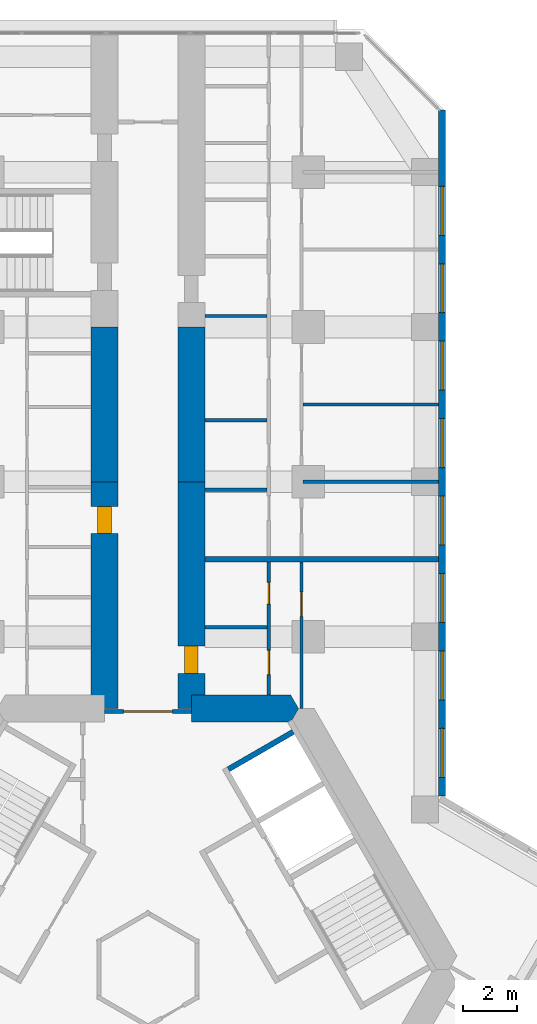
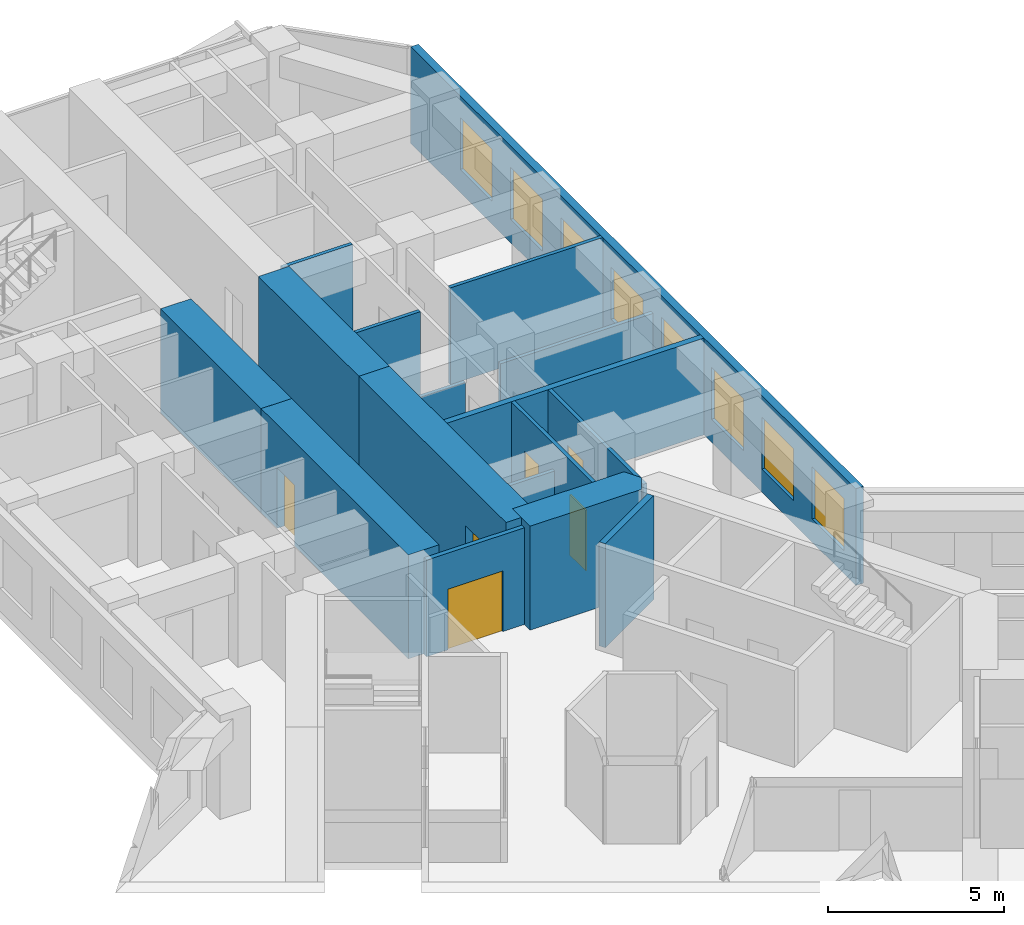
# One storey, part 18 of 21: 17 walls, 8 windows, 6 doors, 14 openings.
"""IFC4 building model written with IfcOpenShell, lengths in metres."""

from ifc_helpers import new_model, si_unit, direction, frame, frame_2d, origin, place, context, subcontext, project, spatial, polyline, rectangle, outline, extrude, material, layer, layer_set, type_object, element, fill, save


model = new_model("IFC4")

# Units and contexts
model_context = context("Model", 3, precision=1e-05, world=origin(), true_north=direction((0.0, 1.0)))
body_context = subcontext(model_context, "Body", "Model", "MODEL_VIEW")
ifc_project = project(units=[si_unit("LENGTHUNIT", "METRE"), si_unit("AREAUNIT", "SQUARE_METRE"), si_unit("VOLUMEUNIT", "CUBIC_METRE"), si_unit("PLANEANGLEUNIT", "RADIAN"), si_unit("MASSUNIT", "GRAM", prefix="KILO")], contexts=[model_context])

# Site, building, storey
site_placement = place(None, origin())
site = spatial("IfcSite", under=ifc_project, at=site_placement, CompositionType="ELEMENT")
building_placement = place(site_placement, origin())
building = spatial("IfcBuilding", under=site, at=building_placement, Name="Kosmar Iwan School Tower", CompositionType="ELEMENT")
storey_placement = place(building_placement, frame((0.0, 0.0, 64.60009765625)))
storey = spatial("IfcBuildingStorey", under=building, at=storey_placement, Name="L15", CompositionType="ELEMENT", Elevation=64.60009765625)

# Wall
ifc_material_1 = material(Name="Concrete C50/60", Category="concrete")
ifc_layer_1 = layer(ifc_material_1, 1.0)
ifc_layer_set_1 = layer_set([ifc_layer_1], Name="Core wall 1000")
wall_type_1 = type_object("IfcWallType", Name="Core wall 1000", PredefinedType="SHEAR", material=ifc_layer_set_1)
wall_1_placement = place(storey_placement, origin())
element("IfcWall", 1, at=wall_1_placement, inside=storey, type_object=wall_type_1, Name="Core wall F090a", PredefinedType="SHEAR", context=body_context, shape_type="SweptSolid", body=[
    extrude(outline(polyline([(1.60009765625, 9.10009765625), (5.25390625, 9.10009765625), (5.54248046875, 9.60009765625), (5.25390625, 10.10009765625), (1.60009765625, 10.10009765625), (1.60009765625, 9.10009765625)])), origin(), (0.0, 0.0, 1.0), 3.599853515625),
])

# Wall, opening, door
ifc_material_2 = material(Name="Concrete C50/60", Category="concrete")
ifc_layer_2 = layer(ifc_material_2, 1.0)
ifc_layer_set_2 = layer_set([ifc_layer_2], Name="Corridor buttress wall 1000")
wall_type_2 = type_object("IfcWallType", Name="Corridor buttress wall 1000", PredefinedType="SHEAR", material=ifc_layer_set_2)
wall_2_placement = place(storey_placement, frame((-1.60009765625, 9.60009765625, 0.0), z_axis=(0.0, 0.0, 1.0), x_axis=(0.0, 1.0, 0.0)))
wall_2 = element("IfcWall", 2, at=wall_2_placement, inside=storey, type_object=wall_type_2, Name="Corridor wall AL", PredefinedType="SHEAR", context=body_context, shape_type="SweptSolid", body=[
    extrude(rectangle(XDim=8.349853515625, YDim=1.0, at=frame_2d((4.1748046875, 0.0))), origin(), (0.0, 0.0, 1.0), 3.599853515625),
])
opening_1_placement = place(wall_2_placement, frame((6.449951171875, 0.0, 0.0)))
opening_1 = element("IfcOpeningElement", 3, at=opening_1_placement, cuts=wall_2, Name="Opening D1", PredefinedType="OPENING", context=body_context, shape_type="SweptSolid", body=[
    extrude(rectangle(XDim=1.0, YDim=2.10009765625, at=frame_2d((0.5, 1.050048828125))), frame((0.0, 0.511962890625, 0.0), z_axis=(0.0, -1.0, 0.0), x_axis=(1.0, 0.0, 0.0)), (0.0, 0.0, 1.0), 1.02392578125),
])
ifc_material_3 = material(Name="Timber fire door in steel frame", Category="steel")
door_type_1 = type_object("IfcDoorType", Name="Flat entrance door 1000x2100", OperationType="SINGLE_SWING_LEFT", PredefinedType="DOOR", material=ifc_material_3)
door_1_placement = place(opening_1_placement, origin())
door_1 = element("IfcDoor", 4, at=door_1_placement, inside=storey, type_object=door_type_1, Name="Flat L15-AL1 entrance door", OperationType="SINGLE_SWING_LEFT", OverallHeight=2.10009765625, OverallWidth=1.0, PredefinedType="DOOR", context=body_context, shape_type="SweptSolid", body=[
    extrude(rectangle(XDim=1.0, YDim=2.10009765625, at=frame_2d((0.5, 1.050048828125))), frame((0.0, 0.25, 0.0), z_axis=(0.0, -1.0, 0.0), x_axis=(1.0, 0.0, 0.0)), (0.0, 0.0, 1.0), 0.5),
])
fill(opening_1, door_1)

# Wall
wall_3_placement = place(storey_placement, frame((-1.60009765625, 17.949951171875, 0.0), z_axis=(0.0, 0.0, 1.0), x_axis=(0.0, 1.0, 0.0)))
element("IfcWall", 5, at=wall_3_placement, inside=storey, type_object=wall_type_2, Name="Corridor wall AL bay 2", PredefinedType="SHEAR", context=body_context, shape_type="SweptSolid", body=[
    extrude(rectangle(XDim=5.699951171875, YDim=1.0, at=frame_2d((2.85009765625, 0.0))), origin(), (0.0, 0.0, 1.0), 3.599853515625),
])

# Wall, opening, door
wall_4_placement = place(storey_placement, frame((1.60009765625, 9.60009765625, 0.0), z_axis=(0.0, 0.0, 1.0), x_axis=(0.0, 1.0, 0.0)))
wall_4 = element("IfcWall", 6, at=wall_4_placement, inside=storey, type_object=wall_type_2, Name="Corridor wall AR", PredefinedType="SHEAR", context=body_context, shape_type="SweptSolid", body=[
    extrude(rectangle(XDim=8.349853515625, YDim=1.0, at=frame_2d((4.1748046875, 0.0))), origin(), (0.0, 0.0, 1.0), 3.599853515625),
])
opening_2_placement = place(wall_4_placement, frame((1.300048828125, 0.0, 0.0)))
opening_2 = element("IfcOpeningElement", 7, at=opening_2_placement, cuts=wall_4, Name="Opening D1", PredefinedType="OPENING", context=body_context, shape_type="SweptSolid", body=[
    extrude(rectangle(XDim=1.0, YDim=2.10009765625, at=frame_2d((0.5, 1.050048828125))), frame((0.0, 0.511962890625, 0.0), z_axis=(0.0, -1.0, 0.0), x_axis=(1.0, 0.0, 0.0)), (0.0, 0.0, 1.0), 1.02392578125),
])
door_2_placement = place(opening_2_placement, origin())
door_2 = element("IfcDoor", 8, at=door_2_placement, inside=storey, type_object=door_type_1, Name="Flat L15-AR1 entrance door", OperationType="SINGLE_SWING_LEFT", OverallHeight=2.10009765625, OverallWidth=1.0, PredefinedType="DOOR", context=body_context, shape_type="SweptSolid", body=[
    extrude(rectangle(XDim=1.0, YDim=2.10009765625, at=frame_2d((0.5, 1.050048828125))), frame((0.0, 0.25, 0.0), z_axis=(0.0, -1.0, 0.0), x_axis=(1.0, 0.0, 0.0)), (0.0, 0.0, 1.0), 0.5),
])
fill(opening_2, door_2)

# Wall
wall_5_placement = place(storey_placement, frame((1.60009765625, 17.949951171875, 0.0), z_axis=(0.0, 0.0, 1.0), x_axis=(0.0, 1.0, 0.0)))
element("IfcWall", 9, at=wall_5_placement, inside=storey, type_object=wall_type_2, Name="Corridor wall AR bay 2", PredefinedType="SHEAR", context=body_context, shape_type="SweptSolid", body=[
    extrude(rectangle(XDim=5.699951171875, YDim=1.0, at=frame_2d((2.85009765625, 0.0))), origin(), (0.0, 0.0, 1.0), 3.599853515625),
])

# Wall, opening, door
ifc_material_4 = material(Name="Steel framed glazed screen", Category="steel")
ifc_layer_3 = layer(ifc_material_4, 0.14990234375)
ifc_layer_set_3 = layer_set([ifc_layer_3], Name="Corridor screen wall 150")
wall_type_3 = type_object("IfcWallType", Name="Corridor screen wall 150", PredefinedType="PARTITIONING", material=ifc_layer_set_3)
wall_6_placement = place(storey_placement, frame((1.60009765625, 9.5, 0.0), z_axis=(0.0, 0.0, 1.0), x_axis=(-1.0, 0.0, 0.0)))
wall_6 = element("IfcWall", 10, at=wall_6_placement, inside=storey, type_object=wall_type_3, Name="Corridor screen A L15", PredefinedType="PARTITIONING", context=body_context, shape_type="SweptSolid", body=[
    extrude(rectangle(XDim=3.2001953125, YDim=0.14990234375, at=frame_2d((1.60009765625, 0.0))), origin(), (0.0, 0.0, 1.0), 3.349853515625),
])
opening_3_placement = place(wall_6_placement, frame((0.699951171875, 0.0, 0.0)))
opening_3 = element("IfcOpeningElement", 11, at=opening_3_placement, cuts=wall_6, Name="Opening D9", PredefinedType="OPENING", context=body_context, shape_type="SweptSolid", body=[
    extrude(rectangle(XDim=1.800048828125, YDim=2.10009765625, at=frame_2d((0.89990234375, 1.050048828125))), frame((0.0, 0.0869140625, 0.0), z_axis=(0.0, -1.0, 0.0), x_axis=(1.0, 0.0, 0.0)), (0.0, 0.0, 1.0), 0.173828125),
])
ifc_material_5 = material(Name="Steel framed glazed smoke door", Category="steel")
door_type_2 = type_object("IfcDoorType", Name="Corridor smoke door pair 1800x2100", OperationType="DOUBLE_DOOR_DOUBLE_SWING", PredefinedType="DOOR", material=ifc_material_5)
door_3_placement = place(opening_3_placement, origin())
door_3 = element("IfcDoor", 12, at=door_3_placement, inside=storey, type_object=door_type_2, Name="Corridor doors A L15", OperationType="DOUBLE_DOOR_DOUBLE_SWING", OverallHeight=2.10009765625, OverallWidth=1.800048828125, PredefinedType="DOOR", context=body_context, shape_type="SweptSolid", body=[
    extrude(rectangle(XDim=1.800048828125, YDim=2.10009765625, at=frame_2d((0.89990234375, 1.050048828125))), frame((0.0, 0.02490234375, 0.0), z_axis=(0.0, -1.0, 0.0), x_axis=(1.0, 0.0, 0.0)), (0.0, 0.0, 1.0), 0.050048828125),
])
fill(opening_3, door_3)

# Wall, openings, doors
ifc_material_6 = material(Name="Gypsum board on steel studs", Category="steel")
ifc_layer_4 = layer(ifc_material_6, 0.1201171875)
ifc_layer_set_4 = layer_set([ifc_layer_4], Name="Dwelling partition 120")
wall_type_4 = type_object("IfcWallType", Name="Dwelling partition 120", PredefinedType="PARTITIONING", material=ifc_layer_set_4)
wall_7_placement = place(storey_placement, frame((4.449951171875, 10.10009765625, 0.0), z_axis=(0.0, 0.0, 1.0), x_axis=(0.0, 1.0, 0.0)))
wall_7 = element("IfcWall", 13, at=wall_7_placement, inside=storey, type_object=wall_type_4, Name="Partition L15-AR1-W1", PredefinedType="PARTITIONING", context=body_context, shape_type="SweptSolid", body=[
    extrude(rectangle(XDim=4.89990234375, YDim=0.1201171875, at=frame_2d((2.449951171875, 0.0))), origin(), (0.0, 0.0, 1.0), 3.349853515625),
])
opening_4_placement = place(wall_7_placement, frame((0.75, 0.0, 0.0)))
opening_4 = element("IfcOpeningElement", 14, at=opening_4_placement, cuts=wall_7, Name="Opening D2", PredefinedType="OPENING", context=body_context, shape_type="SweptSolid", body=[
    extrude(rectangle(XDim=0.89990234375, YDim=2.10009765625, at=frame_2d((0.449951171875, 1.050048828125))), frame((0.0, 0.072021484375, 0.0), z_axis=(0.0, -1.0, 0.0), x_axis=(1.0, 0.0, 0.0)), (0.0, 0.0, 1.0), 0.14404296875),
])
opening_5_placement = place(wall_7_placement, frame((3.35009765625, 0.0, 0.0)))
opening_5 = element("IfcOpeningElement", 15, at=opening_5_placement, cuts=wall_7, Name="Opening D3", PredefinedType="OPENING", context=body_context, shape_type="SweptSolid", body=[
    extrude(rectangle(XDim=0.800048828125, YDim=2.10009765625, at=frame_2d((0.39990234375, 1.050048828125))), frame((0.0, 0.072021484375, 0.0), z_axis=(0.0, -1.0, 0.0), x_axis=(1.0, 0.0, 0.0)), (0.0, 0.0, 1.0), 0.14404296875),
])
ifc_material_7 = material(Name="Timber door in timber frame", Category="wood")
door_type_3 = type_object("IfcDoorType", Name="Internal door 900x2100", OperationType="SINGLE_SWING_LEFT", PredefinedType="DOOR", material=ifc_material_7)
door_4_placement = place(opening_4_placement, origin())
door_4 = element("IfcDoor", 16, at=door_4_placement, inside=storey, type_object=door_type_3, Name="Entrance hall door L15-AR1-S1", OperationType="SINGLE_SWING_LEFT", OverallHeight=2.10009765625, OverallWidth=0.89990234375, PredefinedType="DOOR", context=body_context, shape_type="SweptSolid", body=[
    extrude(rectangle(XDim=0.89990234375, YDim=2.10009765625, at=frame_2d((0.449951171875, 1.050048828125))), frame((0.0, 0.02490234375, 0.0), z_axis=(0.0, -1.0, 0.0), x_axis=(1.0, 0.0, 0.0)), (0.0, 0.0, 1.0), 0.050048828125),
])
fill(opening_4, door_4)
ifc_material_8 = material(Name="Timber door in timber frame", Category="wood")
door_type_4 = type_object("IfcDoorType", Name="Sanitary room door 800x2100", OperationType="SINGLE_SWING_LEFT", PredefinedType="DOOR", material=ifc_material_8)
door_5_placement = place(opening_5_placement, origin())
door_5 = element("IfcDoor", 17, at=door_5_placement, inside=storey, type_object=door_type_4, Name="Bathroom door L15-AR1-S2", OperationType="SINGLE_SWING_RIGHT", OverallHeight=2.10009765625, OverallWidth=0.800048828125, PredefinedType="DOOR", context=body_context, shape_type="SweptSolid", body=[
    extrude(rectangle(XDim=0.800048828125, YDim=2.10009765625, at=frame_2d((0.39990234375, 1.050048828125))), frame((0.0, 0.02490234375, 0.0), z_axis=(0.0, -1.0, 0.0), x_axis=(1.0, 0.0, 0.0)), (0.0, 0.0, 1.0), 0.050048828125),
])
fill(opening_5, door_5)

# Wall, opening, door
wall_8_placement = place(storey_placement, frame((5.64990234375, 9.60009765625, 0.0), z_axis=(0.0, 0.0, 1.0), x_axis=(0.0, 1.0, 0.0)))
wall_8 = element("IfcWall", 18, at=wall_8_placement, inside=storey, type_object=wall_type_4, Name="Partition L15-AR1-W2", PredefinedType="PARTITIONING", context=body_context, shape_type="SweptSolid", body=[
    extrude(rectangle(XDim=5.39990234375, YDim=0.1201171875, at=frame_2d((2.699951171875, 0.0))), origin(), (0.0, 0.0, 1.0), 3.349853515625),
])
opening_6_placement = place(wall_8_placement, frame((3.39990234375, 0.0, 0.0)))
opening_6 = element("IfcOpeningElement", 19, at=opening_6_placement, cuts=wall_8, Name="Opening D2", PredefinedType="OPENING", context=body_context, shape_type="SweptSolid", body=[
    extrude(rectangle(XDim=0.89990234375, YDim=2.10009765625, at=frame_2d((0.449951171875, 1.050048828125))), frame((0.0, 0.072021484375, 0.0), z_axis=(0.0, -1.0, 0.0), x_axis=(1.0, 0.0, 0.0)), (0.0, 0.0, 1.0), 0.14404296875),
])
door_6_placement = place(opening_6_placement, origin())
door_6 = element("IfcDoor", 20, at=door_6_placement, inside=storey, type_object=door_type_3, Name="Studio living room and kitchen door L15-AR1-F1", OperationType="SINGLE_SWING_RIGHT", OverallHeight=2.10009765625, OverallWidth=0.89990234375, PredefinedType="DOOR", context=body_context, shape_type="SweptSolid", body=[
    extrude(rectangle(XDim=0.89990234375, YDim=2.10009765625, at=frame_2d((0.449951171875, 1.050048828125))), frame((0.0, 0.02490234375, 0.0), z_axis=(0.0, -1.0, 0.0), x_axis=(1.0, 0.0, 0.0)), (0.0, 0.0, 1.0), 0.050048828125),
])
fill(opening_6, door_6)

# Walls
wall_9_placement = place(storey_placement, frame((2.10009765625, 12.60009765625, 0.0), z_axis=(0.0, 0.0, 1.0), x_axis=(1.0, 0.0, 0.0)))
element("IfcWall", 21, at=wall_9_placement, inside=storey, type_object=wall_type_4, Name="Partition L15-AR1-Y1", PredefinedType="PARTITIONING", context=body_context, shape_type="SweptSolid", body=[
    extrude(rectangle(XDim=2.289794921875, YDim=0.1201171875, at=frame_2d((1.14501953125, 0.0))), origin(), (0.0, 0.0, 1.0), 2.449951171875),
])
wall_10_placement = place(storey_placement, frame((5.7099609375, 17.949951171875, 0.0), z_axis=(0.0, 0.0, 1.0), x_axis=(1.0, 0.0, 0.0)))
element("IfcWall", 22, at=wall_10_placement, inside=storey, type_object=wall_type_4, Name="Partition L15-AR2-X1", PredefinedType="PARTITIONING", context=body_context, shape_type="SweptSolid", body=[
    extrude(rectangle(XDim=4.989990234375, YDim=0.1201171875, at=frame_2d((2.4951171875, 0.0))), origin(), (0.0, 0.0, 1.0), 2.449951171875),
])
wall_11_placement = place(storey_placement, frame((5.7099609375, 20.800048828125, 0.0), z_axis=(0.0, 0.0, 1.0), x_axis=(1.0, 0.0, 0.0)))
element("IfcWall", 23, at=wall_11_placement, inside=storey, type_object=wall_type_4, Name="Partition L15-AR2-X2", PredefinedType="PARTITIONING", context=body_context, shape_type="SweptSolid", body=[
    extrude(rectangle(XDim=4.989990234375, YDim=0.1201171875, at=frame_2d((2.4951171875, 0.0))), origin(), (0.0, 0.0, 1.0), 3.349853515625),
])
wall_12_placement = place(storey_placement, frame((2.10009765625, 17.6572265625, 0.0), z_axis=(0.0, 0.0, 1.0), x_axis=(1.0, 0.0, 0.0)))
element("IfcWall", 24, at=wall_12_placement, inside=storey, type_object=wall_type_4, Name="Partition L15-AR2-Y1", PredefinedType="PARTITIONING", context=body_context, shape_type="SweptSolid", body=[
    extrude(rectangle(XDim=2.289794921875, YDim=0.1201171875, at=frame_2d((1.14501953125, 0.0))), origin(), (0.0, 0.0, 1.0), 2.449951171875),
])
for number, where, z_axis, x_axis, name in (
    (25, (2.10009765625, 20.21435546875, 0.0), (0.0, 0.0, 1.0), (1.0, 0.0, 0.0), "Partition L15-AR2-Y2"),
    (26, (2.10009765625, 24.050048828125, 0.0), (0.0, 0.0, 1.0), (1.0, 0.0, 0.0), "Partition L15-AR2-Y3"),
):
    element("IfcWall", number, at=place(storey_placement, frame(where, z_axis=z_axis, x_axis=x_axis)), inside=storey, type_object=wall_type_4, Name=name, PredefinedType="PARTITIONING", context=body_context, shape_type="SweptSolid", body=[
        extrude(rectangle(XDim=2.289794921875, YDim=0.1201171875, at=frame_2d((1.14501953125, 0.0))), origin(), (0.0, 0.0, 1.0), 3.349853515625),
    ])

# Wall, openings, windows
ifc_material_9 = material(Name="Black aluminium rainscreen on insulated framing", Category="aluminium")
ifc_layer_5 = layer(ifc_material_9, 0.25)
ifc_layer_set_5 = layer_set([ifc_layer_5], Name="External wall rainscreen 250")
wall_type_5 = type_object("IfcWallType", Name="External wall rainscreen 250", PredefinedType="SOLIDWALL", material=ifc_layer_set_5)
wall_13_placement = place(storey_placement, frame((10.824951171875, 6.39404296875, 0.0), z_axis=(0.0, 0.0, 1.0), x_axis=(0.0, 1.0, 0.0)))
wall_13 = element("IfcWall", 27, at=wall_13_placement, inside=storey, type_object=wall_type_5, Name="External wall AR L15", PredefinedType="SOLIDWALL", context=body_context, shape_type="SweptSolid", body=[
    extrude(rectangle(XDim=25.2412109375, YDim=0.25, at=frame_2d((12.62060546875, 0.0))), origin(), (0.0, 0.0, 1.0), 3.349853515625),
])
opening_7_placement = place(wall_13_placement, frame((0.680908203125, 0.0, 0.800048828125)))
opening_7 = element("IfcOpeningElement", 28, at=opening_7_placement, cuts=wall_13, Name="Opening W1", PredefinedType="OPENING", context=body_context, shape_type="SweptSolid", body=[
    extrude(rectangle(XDim=1.800048828125, YDim=1.800048828125, at=frame_2d((0.89990234375, 0.89990234375))), frame((0.0, 0.136962890625, 0.0), z_axis=(0.0, -1.0, 0.0), x_axis=(1.0, 0.0, 0.0)), (0.0, 0.0, 1.0), 0.27392578125),
])
opening_8_placement = place(wall_13_placement, frame((3.53076171875, 0.0, 0.800048828125)))
opening_8 = element("IfcOpeningElement", 29, at=opening_8_placement, cuts=wall_13, Name="Opening W1", PredefinedType="OPENING", context=body_context, shape_type="SweptSolid", body=[
    extrude(rectangle(XDim=1.800048828125, YDim=1.800048828125, at=frame_2d((0.89990234375, 0.89990234375))), frame((0.0, 0.136962890625, 0.0), z_axis=(0.0, -1.0, 0.0), x_axis=(1.0, 0.0, 0.0)), (0.0, 0.0, 1.0), 0.27392578125),
])
opening_9_placement = place(wall_13_placement, frame((6.380859375, 0.0, 0.800048828125)))
opening_9 = element("IfcOpeningElement", 30, at=opening_9_placement, cuts=wall_13, Name="Opening W1", PredefinedType="OPENING", context=body_context, shape_type="SweptSolid", body=[
    extrude(rectangle(XDim=1.800048828125, YDim=1.800048828125, at=frame_2d((0.89990234375, 0.89990234375))), frame((0.0, 0.136962890625, 0.0), z_axis=(0.0, -1.0, 0.0), x_axis=(1.0, 0.0, 0.0)), (0.0, 0.0, 1.0), 0.27392578125),
])
opening_10_placement = place(wall_13_placement, frame((9.23095703125, 0.0, 0.800048828125)))
opening_10 = element("IfcOpeningElement", 31, at=opening_10_placement, cuts=wall_13, Name="Opening W1", PredefinedType="OPENING", context=body_context, shape_type="SweptSolid", body=[
    extrude(rectangle(XDim=1.800048828125, YDim=1.800048828125, at=frame_2d((0.89990234375, 0.89990234375))), frame((0.0, 0.136962890625, 0.0), z_axis=(0.0, -1.0, 0.0), x_axis=(1.0, 0.0, 0.0)), (0.0, 0.0, 1.0), 0.27392578125),
])
opening_11_placement = place(wall_13_placement, frame((12.080810546875, 0.0, 0.800048828125)))
opening_11 = element("IfcOpeningElement", 32, at=opening_11_placement, cuts=wall_13, Name="Opening W1", PredefinedType="OPENING", context=body_context, shape_type="SweptSolid", body=[
    extrude(rectangle(XDim=1.800048828125, YDim=1.800048828125, at=frame_2d((0.89990234375, 0.89990234375))), frame((0.0, 0.136962890625, 0.0), z_axis=(0.0, -1.0, 0.0), x_axis=(1.0, 0.0, 0.0)), (0.0, 0.0, 1.0), 0.27392578125),
])
opening_12_placement = place(wall_13_placement, frame((14.930908203125, 0.0, 0.800048828125)))
opening_12 = element("IfcOpeningElement", 33, at=opening_12_placement, cuts=wall_13, Name="Opening W1", PredefinedType="OPENING", context=body_context, shape_type="SweptSolid", body=[
    extrude(rectangle(XDim=1.800048828125, YDim=1.800048828125, at=frame_2d((0.89990234375, 0.89990234375))), frame((0.0, 0.136962890625, 0.0), z_axis=(0.0, -1.0, 0.0), x_axis=(1.0, 0.0, 0.0)), (0.0, 0.0, 1.0), 0.27392578125),
])
opening_13_placement = place(wall_13_placement, frame((17.78076171875, 0.0, 0.800048828125)))
opening_13 = element("IfcOpeningElement", 34, at=opening_13_placement, cuts=wall_13, Name="Opening W1", PredefinedType="OPENING", context=body_context, shape_type="SweptSolid", body=[
    extrude(rectangle(XDim=1.800048828125, YDim=1.800048828125, at=frame_2d((0.89990234375, 0.89990234375))), frame((0.0, 0.136962890625, 0.0), z_axis=(0.0, -1.0, 0.0), x_axis=(1.0, 0.0, 0.0)), (0.0, 0.0, 1.0), 0.27392578125),
])
opening_14_placement = place(wall_13_placement, frame((20.630859375, 0.0, 0.800048828125)))
opening_14 = element("IfcOpeningElement", 35, at=opening_14_placement, cuts=wall_13, Name="Opening W1", PredefinedType="OPENING", context=body_context, shape_type="SweptSolid", body=[
    extrude(rectangle(XDim=1.800048828125, YDim=1.800048828125, at=frame_2d((0.89990234375, 0.89990234375))), frame((0.0, 0.136962890625, 0.0), z_axis=(0.0, -1.0, 0.0), x_axis=(1.0, 0.0, 0.0)), (0.0, 0.0, 1.0), 0.27392578125),
])
ifc_material_10 = material(Name="Black aluminium frame with dark triple glazing", Category="aluminium")
window_type = type_object("IfcWindowType", Name="Window 1800x1800", PartitioningType="SINGLE_PANEL", PredefinedType="WINDOW", material=ifc_material_10)
window_1_placement = place(opening_7_placement, origin())
window_1 = element("IfcWindow", 36, at=window_1_placement, inside=storey, type_object=window_type, Name="Window AR L15 -1", OverallHeight=1.800048828125, OverallWidth=1.800048828125, PartitioningType="SINGLE_PANEL", PredefinedType="WINDOW", context=body_context, shape_type="SweptSolid", body=[
    extrude(rectangle(XDim=1.800048828125, YDim=1.800048828125, at=frame_2d((0.89990234375, 0.89990234375))), frame((0.0, 0.030029296875, 0.0), z_axis=(0.0, -1.0, 0.0), x_axis=(1.0, 0.0, 0.0)), (0.0, 0.0, 1.0), 0.06005859375),
])
fill(opening_7, window_1)
window_2_placement = place(opening_8_placement, origin())
window_2 = element("IfcWindow", 37, at=window_2_placement, inside=storey, type_object=window_type, Name="Window AR L15 0", OverallHeight=1.800048828125, OverallWidth=1.800048828125, PartitioningType="SINGLE_PANEL", PredefinedType="WINDOW", context=body_context, shape_type="SweptSolid", body=[
    extrude(rectangle(XDim=1.800048828125, YDim=1.800048828125, at=frame_2d((0.89990234375, 0.89990234375))), frame((0.0, 0.030029296875, 0.0), z_axis=(0.0, -1.0, 0.0), x_axis=(1.0, 0.0, 0.0)), (0.0, 0.0, 1.0), 0.06005859375),
])
fill(opening_8, window_2)
window_3_placement = place(opening_9_placement, origin())
window_3 = element("IfcWindow", 38, at=window_3_placement, inside=storey, type_object=window_type, Name="Window AR L15 1", OverallHeight=1.800048828125, OverallWidth=1.800048828125, PartitioningType="SINGLE_PANEL", PredefinedType="WINDOW", context=body_context, shape_type="SweptSolid", body=[
    extrude(rectangle(XDim=1.800048828125, YDim=1.800048828125, at=frame_2d((0.89990234375, 0.89990234375))), frame((0.0, 0.030029296875, 0.0), z_axis=(0.0, -1.0, 0.0), x_axis=(1.0, 0.0, 0.0)), (0.0, 0.0, 1.0), 0.06005859375),
])
fill(opening_9, window_3)
window_4_placement = place(opening_10_placement, origin())
window_4 = element("IfcWindow", 39, at=window_4_placement, inside=storey, type_object=window_type, Name="Window AR L15 2", OverallHeight=1.800048828125, OverallWidth=1.800048828125, PartitioningType="SINGLE_PANEL", PredefinedType="WINDOW", context=body_context, shape_type="SweptSolid", body=[
    extrude(rectangle(XDim=1.800048828125, YDim=1.800048828125, at=frame_2d((0.89990234375, 0.89990234375))), frame((0.0, 0.030029296875, 0.0), z_axis=(0.0, -1.0, 0.0), x_axis=(1.0, 0.0, 0.0)), (0.0, 0.0, 1.0), 0.06005859375),
])
fill(opening_10, window_4)
window_5_placement = place(opening_11_placement, origin())
window_5 = element("IfcWindow", 40, at=window_5_placement, inside=storey, type_object=window_type, Name="Window AR L15 3", OverallHeight=1.800048828125, OverallWidth=1.800048828125, PartitioningType="SINGLE_PANEL", PredefinedType="WINDOW", context=body_context, shape_type="SweptSolid", body=[
    extrude(rectangle(XDim=1.800048828125, YDim=1.800048828125, at=frame_2d((0.89990234375, 0.89990234375))), frame((0.0, 0.030029296875, 0.0), z_axis=(0.0, -1.0, 0.0), x_axis=(1.0, 0.0, 0.0)), (0.0, 0.0, 1.0), 0.06005859375),
])
fill(opening_11, window_5)
window_6_placement = place(opening_12_placement, origin())
window_6 = element("IfcWindow", 41, at=window_6_placement, inside=storey, type_object=window_type, Name="Window AR L15 4", OverallHeight=1.800048828125, OverallWidth=1.800048828125, PartitioningType="SINGLE_PANEL", PredefinedType="WINDOW", context=body_context, shape_type="SweptSolid", body=[
    extrude(rectangle(XDim=1.800048828125, YDim=1.800048828125, at=frame_2d((0.89990234375, 0.89990234375))), frame((0.0, 0.030029296875, 0.0), z_axis=(0.0, -1.0, 0.0), x_axis=(1.0, 0.0, 0.0)), (0.0, 0.0, 1.0), 0.06005859375),
])
fill(opening_12, window_6)
window_7_placement = place(opening_13_placement, origin())
window_7 = element("IfcWindow", 42, at=window_7_placement, inside=storey, type_object=window_type, Name="Window AR L15 5", OverallHeight=1.800048828125, OverallWidth=1.800048828125, PartitioningType="SINGLE_PANEL", PredefinedType="WINDOW", context=body_context, shape_type="SweptSolid", body=[
    extrude(rectangle(XDim=1.800048828125, YDim=1.800048828125, at=frame_2d((0.89990234375, 0.89990234375))), frame((0.0, 0.030029296875, 0.0), z_axis=(0.0, -1.0, 0.0), x_axis=(1.0, 0.0, 0.0)), (0.0, 0.0, 1.0), 0.06005859375),
])
fill(opening_13, window_7)
window_8_placement = place(opening_14_placement, origin())
window_8 = element("IfcWindow", 43, at=window_8_placement, inside=storey, type_object=window_type, Name="Window AR L15 6", OverallHeight=1.800048828125, OverallWidth=1.800048828125, PartitioningType="SINGLE_PANEL", PredefinedType="WINDOW", context=body_context, shape_type="SweptSolid", body=[
    extrude(rectangle(XDim=1.800048828125, YDim=1.800048828125, at=frame_2d((0.89990234375, 0.89990234375))), frame((0.0, 0.030029296875, 0.0), z_axis=(0.0, -1.0, 0.0), x_axis=(1.0, 0.0, 0.0)), (0.0, 0.0, 1.0), 0.06005859375),
])
fill(opening_14, window_8)

# Walls
ifc_material_11 = material(Name="Concrete C50/60", Category="concrete")
ifc_layer_6 = layer(ifc_material_11, 0.199951171875)
ifc_layer_set_6 = layer_set([ifc_layer_6], Name="Lift shaft wall 200")
wall_type_6 = type_object("IfcWallType", Name="Lift shaft wall 200", PredefinedType="SHEAR", material=ifc_layer_set_6)
wall_14_placement = place(storey_placement, frame((2.962646484375, 7.368408203125, 0.0), z_axis=(0.0, 0.0, 1.0), x_axis=(0.866027397988, 0.499996545922, 0.0)))
element("IfcWall", 44, at=wall_14_placement, inside=storey, type_object=wall_type_6, Name="Lift shaft wall AC 2", PredefinedType="SHEAR", context=body_context, shape_type="SweptSolid", body=[
    extrude(rectangle(XDim=2.75, YDim=0.199951171875, at=frame_2d((1.375, 0.0))), origin(), (0.0, 0.0, 1.0), 3.599853515625),
])
ifc_material_12 = material(Name="Concrete block masonry", Category="masonry")
ifc_layer_7 = layer(ifc_material_12, 0.199951171875)
ifc_layer_set_7 = layer_set([ifc_layer_7], Name="Party wall 200")
wall_type_7 = type_object("IfcWallType", Name="Party wall 200", PredefinedType="PARTITIONING", material=ifc_layer_set_7)
wall_15_placement = place(storey_placement, frame((2.10009765625, 15.10009765625, 0.0), z_axis=(0.0, 0.0, 1.0), x_axis=(1.0, 0.0, 0.0)))
element("IfcWall", 45, at=wall_15_placement, inside=storey, type_object=wall_type_7, Name="Partition L15-AR2-PW", PredefinedType="PARTITIONING", context=body_context, shape_type="SweptSolid", body=[
    extrude(rectangle(XDim=8.599853515625, YDim=0.199951171875, at=frame_2d((4.2998046875, 0.0))), origin(), (0.0, 0.0, 1.0), 3.349853515625),
])

save(model, "model.ifc")
